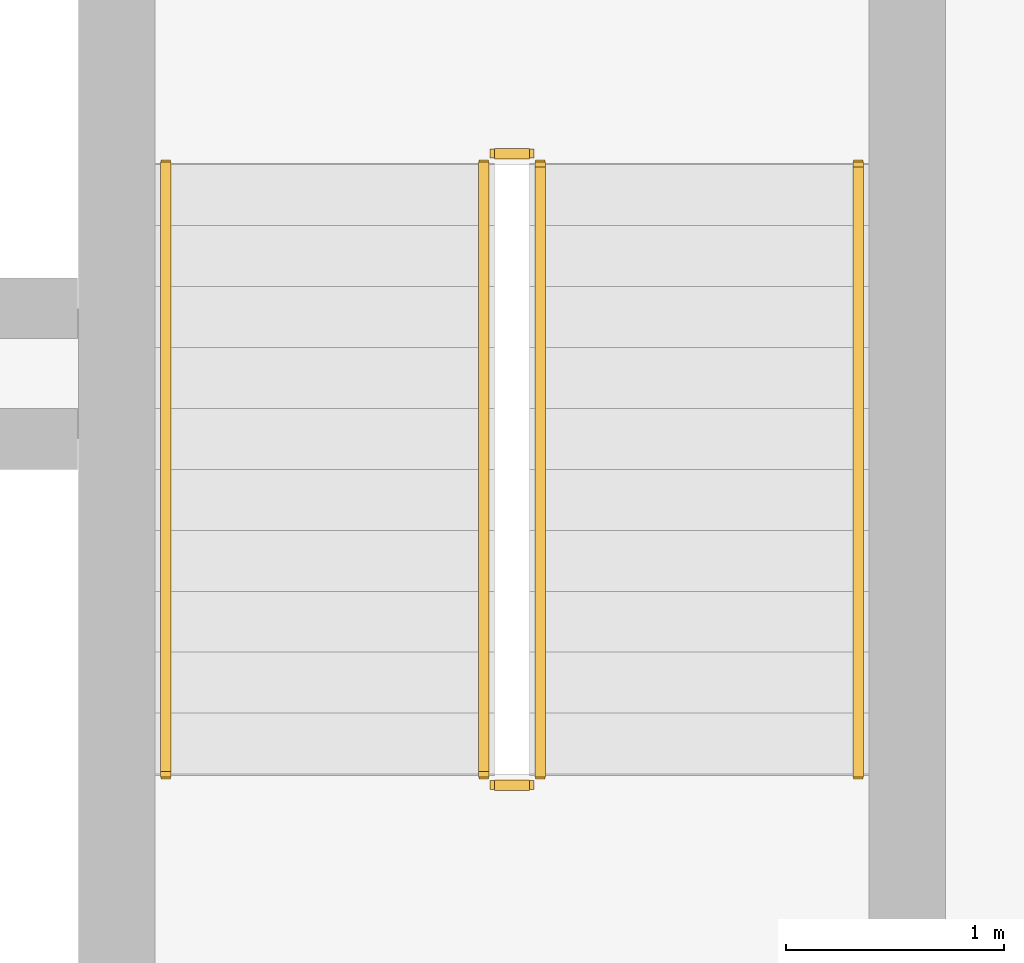
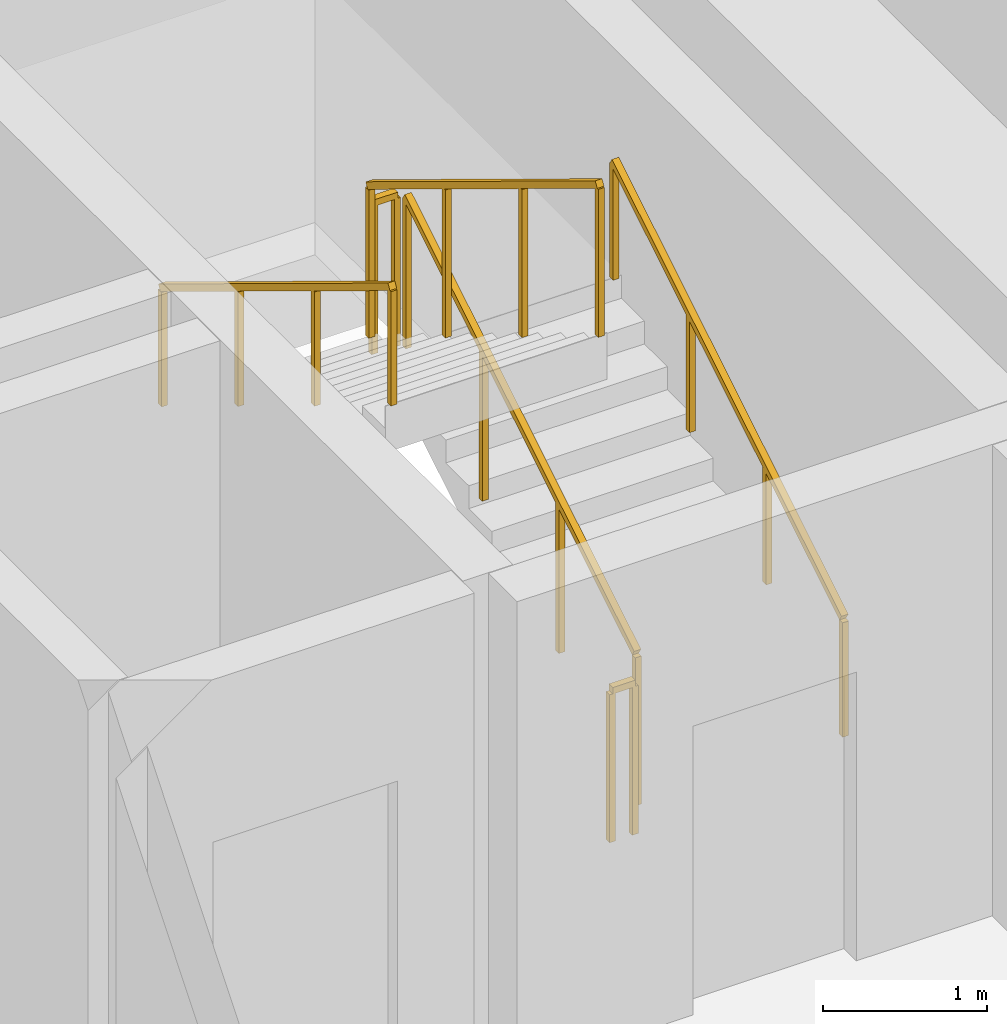
# One storey, part 15 of 15: 6 railings.
"""IFC4 building model written with IfcOpenShell, lengths in metres."""

from ifc_helpers import new_model, si_unit, direction, frame, origin, origin_2d, place, context, subcontext, project, spatial, rectangle, extrude, material, type_object, element, save


model = new_model("IFC4")

# Units and contexts
model_context = context("Model", 3, precision=1e-05, world=origin(), true_north=direction((0.0, 1.0)))
body_context = subcontext(model_context, "Body", "Model", "MODEL_VIEW")
ifc_project = project(units=[si_unit("LENGTHUNIT", "METRE"), si_unit("AREAUNIT", "SQUARE_METRE"), si_unit("VOLUMEUNIT", "CUBIC_METRE"), si_unit("PLANEANGLEUNIT", "RADIAN"), si_unit("MASSUNIT", "GRAM", prefix="KILO")], contexts=[model_context])

# Site, building, storey
site_placement = place(None, origin())
site = spatial("IfcSite", under=ifc_project, at=site_placement, CompositionType="ELEMENT")
building_placement = place(site_placement, origin())
building = spatial("IfcBuilding", under=site, at=building_placement, Name="Kaelvorn Grand Hotel", CompositionType="ELEMENT")
storey_placement = place(building_placement, frame((0.0, 0.0, 115.550048828125)))
storey = spatial("IfcBuildingStorey", under=building, at=storey_placement, Name="L27", CompositionType="ELEMENT", Elevation=115.550048828125)

# Railings
ifc_material = material(Name="Stainless Steel", Category="steel")
railing_type_1 = type_object("IfcRailingType", Name="RL-HANDRAIL-900", PredefinedType="HANDRAIL", material=ifc_material)
railing_1_placement = place(storey_placement, frame((66.550048828125, 41.760009765625, 0.17041015625)))
element("IfcRailing", 1, at=railing_1_placement, inside=storey, type_object=railing_type_1, Name="L27 ST3 stair handrail 1", PredefinedType="HANDRAIL", context=body_context, shape_type="SweptSolid", body=[
    extrude(rectangle(XDim=0.048095703125, YDim=0.048095703125, at=origin_2d()), frame((0.0, 0.0, 0.8759765625), z_axis=(0.0, 0.854169791009, 0.51999420009), x_axis=(-1.0, 0.0, 0.0)), (0.0, 0.0, 1.0), 3.278076171875),
    extrude(rectangle(XDim=0.0419921875, YDim=0.0419921875, at=origin_2d()), origin(), (0.0, 0.0, 1.0), 0.851806640625),
    extrude(rectangle(XDim=0.0419921875, YDim=0.0419921875, at=origin_2d()), frame((0.0, 0.933349609375, 0.568115234375)), (0.0, 0.0, 1.0), 0.851806640625),
    extrude(rectangle(XDim=0.0419921875, YDim=0.0419921875, at=origin_2d()), frame((0.0, 1.86669921875, 1.136474609375)), (0.0, 0.0, 1.0), 0.851806640625),
    extrude(rectangle(XDim=0.0419921875, YDim=0.0419921875, at=origin_2d()), frame((0.0, 2.800048828125, 1.70458984375)), (0.0, 0.0, 1.0), 0.851806640625),
])
railing_2_placement = place(storey_placement, frame((63.3701171875, 44.56005859375, 2.04541015625)))
element("IfcRailing", 2, at=railing_2_placement, inside=storey, type_object=railing_type_1, Name="L27 ST3 stair handrail 2", PredefinedType="HANDRAIL", context=body_context, shape_type="SweptSolid", body=[
    extrude(rectangle(XDim=0.048095703125, YDim=0.048095703125, at=origin_2d()), frame((0.0, 0.0, 0.8759765625), z_axis=(0.0, -0.854169791009, 0.51999420009), x_axis=(1.0, 0.0, 0.0)), (0.0, 0.0, 1.0), 3.278076171875),
    extrude(rectangle(XDim=0.0419921875, YDim=0.0419921875, at=origin_2d()), origin(), (0.0, 0.0, 1.0), 0.851806640625),
    extrude(rectangle(XDim=0.0419921875, YDim=0.0419921875, at=origin_2d()), frame((0.0, -0.933349609375, 0.568115234375)), (0.0, 0.0, 1.0), 0.851806640625),
    extrude(rectangle(XDim=0.0419921875, YDim=0.0419921875, at=origin_2d()), frame((0.0, -1.86669921875, 1.136474609375)), (0.0, 0.0, 1.0), 0.851806640625),
    extrude(rectangle(XDim=0.0419921875, YDim=0.0419921875, at=origin_2d()), frame((0.0, -2.800048828125, 1.70458984375)), (0.0, 0.0, 1.0), 0.851806640625),
])
railing_type_2 = type_object("IfcRailingType", Name="RL-STAIR-GUARD-1150", PredefinedType="BALUSTRADE", material=ifc_material)
railing_3_placement = place(storey_placement, frame((65.090087890625, 41.760009765625, 0.17041015625)))
element("IfcRailing", 3, at=railing_3_placement, inside=storey, type_object=railing_type_2, Name="L27 ST3 stair guard 1", PredefinedType="BALUSTRADE", context=body_context, shape_type="SweptSolid", body=[
    extrude(rectangle(XDim=0.048095703125, YDim=0.048095703125, at=origin_2d()), frame((0.0, 0.0, 1.1259765625), z_axis=(0.0, 0.854169791009, 0.51999420009), x_axis=(-1.0, 0.0, 0.0)), (0.0, 0.0, 1.0), 3.278076171875),
    extrude(rectangle(XDim=0.0419921875, YDim=0.0419921875, at=origin_2d()), origin(), (0.0, 0.0, 1.0), 1.101806640625),
    extrude(rectangle(XDim=0.0419921875, YDim=0.0419921875, at=origin_2d()), frame((0.0, 0.933349609375, 0.568115234375)), (0.0, 0.0, 1.0), 1.101806640625),
    extrude(rectangle(XDim=0.0419921875, YDim=0.0419921875, at=origin_2d()), frame((0.0, 1.86669921875, 1.136474609375)), (0.0, 0.0, 1.0), 1.101806640625),
    extrude(rectangle(XDim=0.0419921875, YDim=0.0419921875, at=origin_2d()), frame((0.0, 2.800048828125, 1.70458984375)), (0.0, 0.0, 1.0), 1.101806640625),
])
railing_4_placement = place(storey_placement, frame((65.0400390625, 44.610107421875, 1.875)))
element("IfcRailing", 4, at=railing_4_placement, inside=storey, type_object=railing_type_2, Name="L27 ST3 stair guard 2", PredefinedType="BALUSTRADE", context=body_context, shape_type="SweptSolid", body=[
    extrude(rectangle(XDim=0.048095703125, YDim=0.048095703125, at=origin_2d()), frame((0.0, 0.0, 1.1259765625), z_axis=(-1.0, 0.0, 0.0), x_axis=(0.0, -1.0, 0.0)), (0.0, 0.0, 1.0), 0.16015625),
    extrude(rectangle(XDim=0.0419921875, YDim=0.0419921875, at=origin_2d()), origin(), (0.0, 0.0, 1.0), 1.101806640625),
    extrude(rectangle(XDim=0.0419921875, YDim=0.0419921875, at=origin_2d()), frame((-0.16015625, 0.0, 0.0)), (0.0, 0.0, 1.0), 1.101806640625),
])
railing_5_placement = place(storey_placement, frame((64.830078125, 44.56005859375, 2.04541015625)))
element("IfcRailing", 5, at=railing_5_placement, inside=storey, type_object=railing_type_2, Name="L27 ST3 stair guard 3", PredefinedType="BALUSTRADE", context=body_context, shape_type="SweptSolid", body=[
    extrude(rectangle(XDim=0.048095703125, YDim=0.048095703125, at=origin_2d()), frame((0.0, 0.0, 1.1259765625), z_axis=(0.0, -0.854169791009, 0.51999420009), x_axis=(1.0, 0.0, 0.0)), (0.0, 0.0, 1.0), 3.278076171875),
    extrude(rectangle(XDim=0.0419921875, YDim=0.0419921875, at=origin_2d()), origin(), (0.0, 0.0, 1.0), 1.101806640625),
    extrude(rectangle(XDim=0.0419921875, YDim=0.0419921875, at=origin_2d()), frame((0.0, -0.933349609375, 0.568115234375)), (0.0, 0.0, 1.0), 1.101806640625),
    extrude(rectangle(XDim=0.0419921875, YDim=0.0419921875, at=origin_2d()), frame((0.0, -1.86669921875, 1.136474609375)), (0.0, 0.0, 1.0), 1.101806640625),
    extrude(rectangle(XDim=0.0419921875, YDim=0.0419921875, at=origin_2d()), frame((0.0, -2.800048828125, 1.70458984375)), (0.0, 0.0, 1.0), 1.101806640625),
])
railing_6_placement = place(storey_placement, frame((65.0400390625, 41.7099609375, 0.0)))
element("IfcRailing", 6, at=railing_6_placement, inside=storey, type_object=railing_type_2, Name="L27 ST3 stair guard 4", PredefinedType="BALUSTRADE", context=body_context, shape_type="SweptSolid", body=[
    extrude(rectangle(XDim=0.048095703125, YDim=0.048095703125, at=origin_2d()), frame((0.0, 0.0, 1.1259765625), z_axis=(-1.0, 0.0, 0.0), x_axis=(0.0, -1.0, 0.0)), (0.0, 0.0, 1.0), 0.16015625),
    extrude(rectangle(XDim=0.0419921875, YDim=0.0419921875, at=origin_2d()), origin(), (0.0, 0.0, 1.0), 1.101806640625),
    extrude(rectangle(XDim=0.0419921875, YDim=0.0419921875, at=origin_2d()), frame((-0.16015625, 0.0, 0.0)), (0.0, 0.0, 1.0), 1.101806640625),
])

save(model, "model.ifc")
